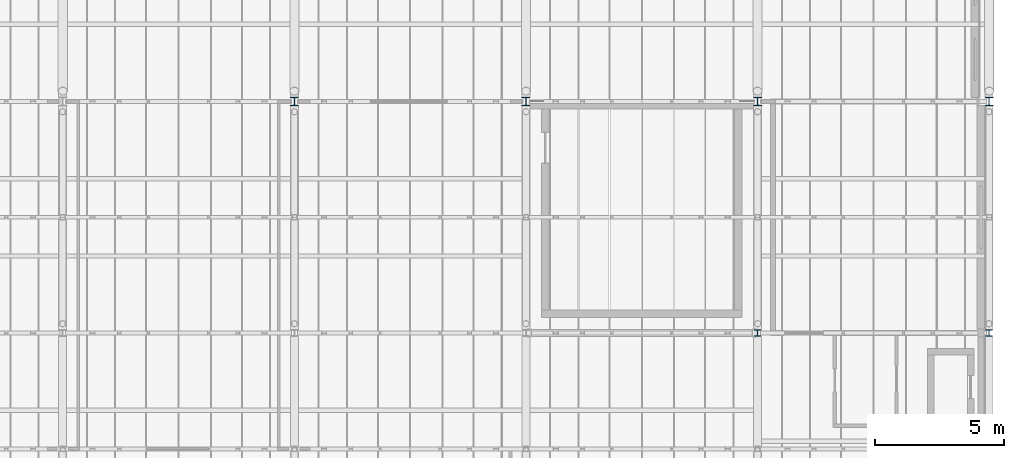
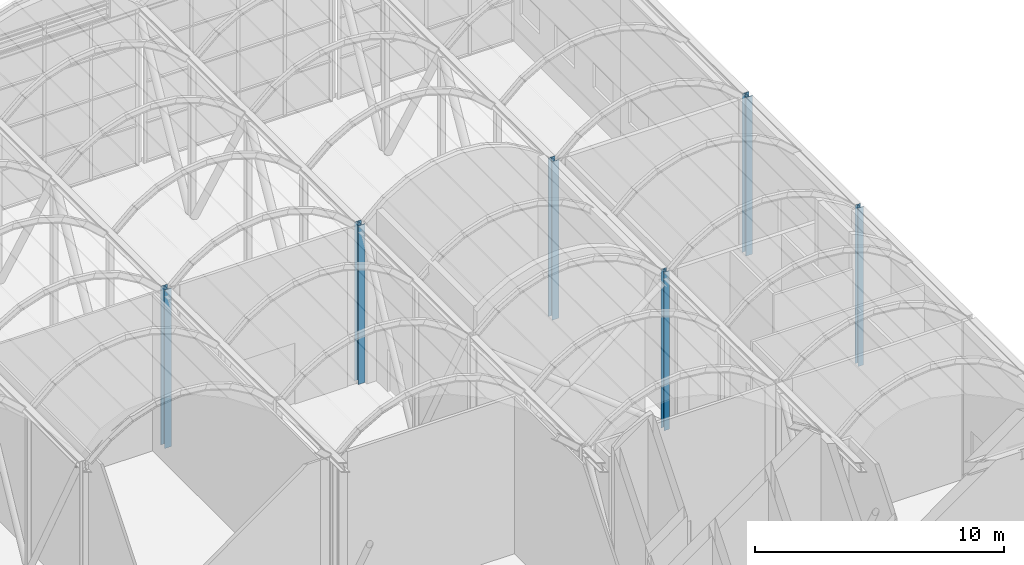
# One storey, part 8 of 144: 6 columns.
"""IFC4 building model written with IfcOpenShell, lengths in metres."""

from ifc_helpers import new_model, si_unit, direction, frame, origin, origin_2d, place, context, subcontext, project, spatial, i_section, extrude, material, material_profile, profile_set, type_object, element, save


model = new_model("IFC4")

# Units and contexts
model_context = context("Model", 3, precision=1e-05, world=origin(), true_north=direction((0.0, 1.0)))
body_context = subcontext(model_context, "Body", "Model", "MODEL_VIEW")
ifc_project = project(units=[si_unit("LENGTHUNIT", "METRE"), si_unit("AREAUNIT", "SQUARE_METRE"), si_unit("VOLUMEUNIT", "CUBIC_METRE"), si_unit("PLANEANGLEUNIT", "RADIAN"), si_unit("MASSUNIT", "GRAM", prefix="KILO")], contexts=[model_context])

# Site, building, storey
site_placement = place(None, origin())
site = spatial("IfcSite", under=ifc_project, at=site_placement, CompositionType="ELEMENT")
building_placement = place(site_placement, origin())
building = spatial("IfcBuilding", under=site, at=building_placement, Name="Shorebreak Coast Museum", CompositionType="ELEMENT")
storey_placement = place(building_placement, frame((0.0, 0.0, 36.0)))
storey = spatial("IfcBuildingStorey", under=building, at=storey_placement, Name="L06", CompositionType="ELEMENT", Elevation=36.0)

# Columns
ifc_material_1 = material(Name="Steel Grade 300", Category="steel")
ifc_material_profile_1 = material_profile(ifc_material_1, i_section(OverallWidth=0.25390625, OverallDepth=0.25390625, WebThickness=0.008544921875, FlangeThickness=0.01416015625, FilletRadius=0.013916015625, at=origin_2d()), Name="250UC72.9")
ifc_profile_set_1 = profile_set([ifc_material_profile_1], Name="Steel Grade 300")
column_type_1 = type_object("IfcColumnType", Name="Column 250UC72.9", PredefinedType="COLUMN", material=ifc_profile_set_1)
for number, where, z_axis, x_axis, name in (
    (1, (108.0, 108.0, 0.0), (0.0, 0.0, 1.0), (1.0, 0.0, 0.0), "Column L06 13N"),
    (2, (117.0, 108.0, 0.0), (0.0, 0.0, 1.0), (1.0, 0.0, 0.0), "Column L06 14N"),
):
    element("IfcColumn", number, at=place(storey_placement, frame(where, z_axis=z_axis, x_axis=x_axis)), inside=storey, type_object=column_type_1, Name=name, PredefinedType="COLUMN", context=body_context, shape_type="SweptSolid", body=[
        extrude(i_section(OverallWidth=0.25390625, OverallDepth=0.25390625, WebThickness=0.008544921875, FlangeThickness=0.01416015625, FilletRadius=0.013916015625, at=origin_2d()), origin(), (0.0, 0.0, 1.0), 7.784912109375),
    ])
ifc_material_2 = material(Name="Steel Grade 300", Category="steel")
ifc_material_profile_2 = material_profile(ifc_material_2, i_section(OverallWidth=0.31103515625, OverallDepth=0.3271484375, WebThickness=0.015625, FlangeThickness=0.02490234375, FilletRadius=0.0166015625, at=origin_2d()), Name="310UC158")
ifc_profile_set_2 = profile_set([ifc_material_profile_2], Name="Steel Grade 300")
column_type_2 = type_object("IfcColumnType", Name="Column 310UC158", PredefinedType="COLUMN", material=ifc_profile_set_2)
for number, where, z_axis, x_axis, name in (
    (3, (90.0, 117.0, 0.0), (0.0, 0.0, 1.0), (1.0, 0.0, 0.0), "Column L06 11P"),
    (4, (99.0, 117.0, 0.0), (0.0, 0.0, 1.0), (1.0, 0.0, 0.0), "Column L06 12P"),
    (5, (108.0, 117.0, 0.0), (0.0, 0.0, 1.0), (1.0, 0.0, 0.0), "Column L06 13P"),
    (6, (117.0, 117.0, 0.0), (0.0, 0.0, 1.0), (1.0, 0.0, 0.0), "Column L06 14P"),
):
    element("IfcColumn", number, at=place(storey_placement, frame(where, z_axis=z_axis, x_axis=x_axis)), inside=storey, type_object=column_type_2, Name=name, PredefinedType="COLUMN", context=body_context, shape_type="SweptSolid", body=[
        extrude(i_section(OverallWidth=0.31103515625, OverallDepth=0.3271484375, WebThickness=0.015625, FlangeThickness=0.02490234375, FilletRadius=0.0166015625, at=origin_2d()), origin(), (0.0, 0.0, 1.0), 7.784912109375),
    ])

save(model, "model.ifc")
